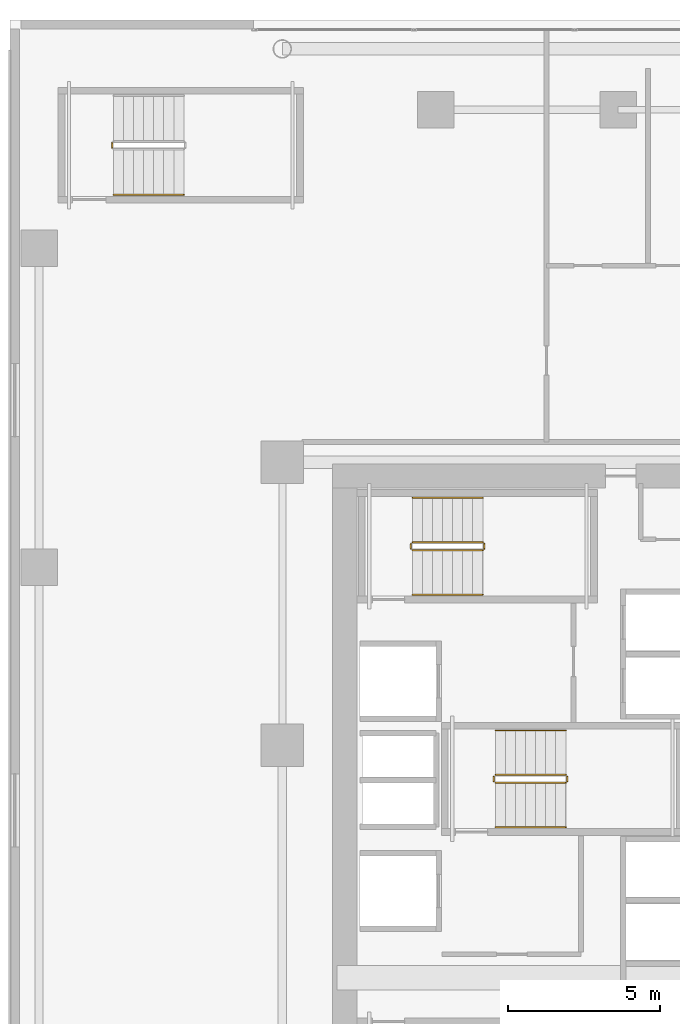
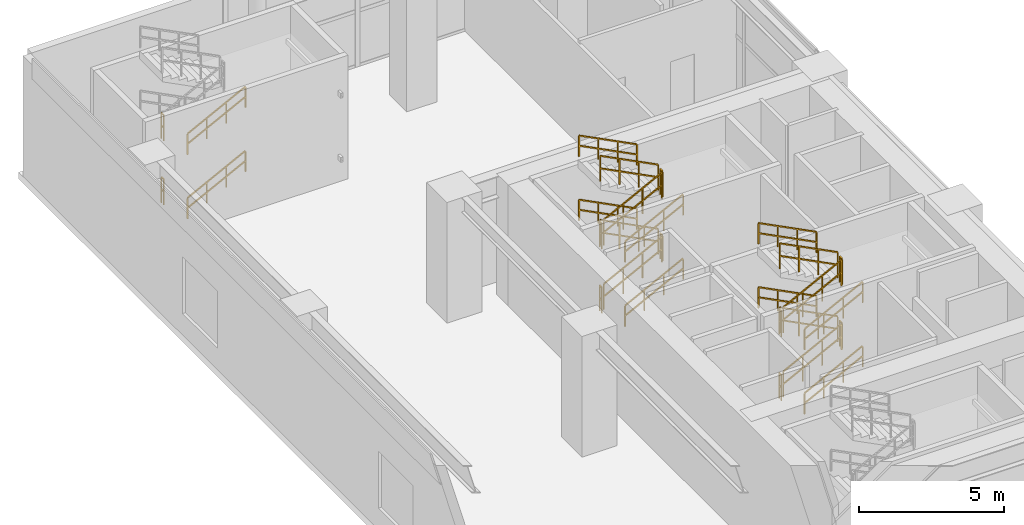
# One storey, part 26 of 29: 28 railings.
"""IFC4 building model written with IfcOpenShell, lengths in metres."""

from ifc_helpers import new_model, si_unit, direction, frame, origin, origin_2d, place, context, subcontext, project, spatial, rectangle, extrude, material, type_object, element, save


model = new_model("IFC4")

# Units and contexts
model_context = context("Model", 3, precision=1e-05, world=origin(), true_north=direction((0.0, 1.0)))
body_context = subcontext(model_context, "Body", "Model", "MODEL_VIEW")
ifc_project = project(units=[si_unit("LENGTHUNIT", "METRE"), si_unit("AREAUNIT", "SQUARE_METRE"), si_unit("VOLUMEUNIT", "CUBIC_METRE"), si_unit("PLANEANGLEUNIT", "RADIAN"), si_unit("MASSUNIT", "GRAM", prefix="KILO")], contexts=[model_context])

# Site, building, storey
site_placement = place(None, origin())
site = spatial("IfcSite", under=ifc_project, at=site_placement, CompositionType="ELEMENT")
building_placement = place(site_placement, origin())
building = spatial("IfcBuilding", under=site, at=building_placement, Name="Ocotamira Hotel", CompositionType="ELEMENT")
storey_placement = place(building_placement, frame((0.0, 0.0, 6.0)))
storey = spatial("IfcBuildingStorey", under=building, at=storey_placement, Name="L02", CompositionType="ELEMENT", Elevation=6.0)

# Railings
ifc_material_1 = material(Name="Brushed stainless steel handrail", Category="steel")
railing_type_1 = type_object("IfcRailingType", Name="RL-HAND-900", PredefinedType="HANDRAIL", material=ifc_material_1)
railing_1_placement = place(storey_placement, frame((13.22998046875, 33.10009765625, 0.33740234375)))
element("IfcRailing", 1, at=railing_1_placement, inside=storey, type_object=railing_type_1, Name="L02 ST-2 stair handrail 1", PredefinedType="HANDRAIL", context=body_context, shape_type="SweptSolid", body=[
    extrude(rectangle(XDim=0.048095703125, YDim=0.048095703125, at=origin_2d()), frame((0.0, 0.0, 0.8759765625), z_axis=(0.89032534587, 0.0, 0.45532491531), x_axis=(0.0, 1.0, 0.0)), (0.0, 0.0, 1.0), 2.5947265625),
    extrude(rectangle(XDim=0.048095703125, YDim=0.048095703125, at=origin_2d()), frame((0.0, 0.0, 0.449951171875), z_axis=(0.89032534587, 0.0, 0.45532491531), x_axis=(0.0, 1.0, 0.0)), (0.0, 0.0, 1.0), 2.5947265625),
    extrude(rectangle(XDim=0.0419921875, YDim=0.0419921875, at=origin_2d()), origin(), (0.0, 0.0, 1.0), 0.851806640625),
    extrude(rectangle(XDim=0.0419921875, YDim=0.0419921875, at=origin_2d()), frame((0.77001953125, 0.0, 0.393798828125)), (0.0, 0.0, 1.0), 0.851806640625),
    extrude(rectangle(XDim=0.0419921875, YDim=0.0419921875, at=origin_2d()), frame((1.5400390625, 0.0, 0.78759765625)), (0.0, 0.0, 1.0), 0.851806640625),
    extrude(rectangle(XDim=0.0419921875, YDim=0.0419921875, at=origin_2d()), frame((2.31005859375, 0.0, 1.181396484375)), (0.0, 0.0, 1.0), 0.851806640625),
])
railing_2_placement = place(storey_placement, frame((15.5400390625, 36.280029296875, 1.6875)))
element("IfcRailing", 2, at=railing_2_placement, inside=storey, type_object=railing_type_1, Name="L02 ST-2 stair handrail 2", PredefinedType="HANDRAIL", context=body_context, shape_type="SweptSolid", body=[
    extrude(rectangle(XDim=0.048095703125, YDim=0.048095703125, at=origin_2d()), frame((0.0, 0.0, 0.8759765625), z_axis=(-0.890363489232, 0.0, 0.455250323495), x_axis=(0.0, -1.0, 0.0)), (0.0, 0.0, 1.0), 2.594482421875),
    extrude(rectangle(XDim=0.048095703125, YDim=0.048095703125, at=origin_2d()), frame((0.0, 0.0, 0.449951171875), z_axis=(-0.890363489232, 0.0, 0.455250323495), x_axis=(0.0, -1.0, 0.0)), (0.0, 0.0, 1.0), 2.594482421875),
    extrude(rectangle(XDim=0.0419921875, YDim=0.0419921875, at=origin_2d()), origin(), (0.0, 0.0, 1.0), 0.851806640625),
    extrude(rectangle(XDim=0.0419921875, YDim=0.0419921875, at=origin_2d()), frame((-0.77001953125, 0.0, 0.393798828125)), (0.0, 0.0, 1.0), 0.851806640625),
    extrude(rectangle(XDim=0.0419921875, YDim=0.0419921875, at=origin_2d()), frame((-1.5400390625, 0.0, 0.787353515625)), (0.0, 0.0, 1.0), 0.851806640625),
    extrude(rectangle(XDim=0.0419921875, YDim=0.0419921875, at=origin_2d()), frame((-2.31005859375, 0.0, 1.18115234375)), (0.0, 0.0, 1.0), 0.851806640625),
])
railing_3_placement = place(storey_placement, frame((13.22998046875, 33.10009765625, 3.03759765625)))
element("IfcRailing", 3, at=railing_3_placement, inside=storey, type_object=railing_type_1, Name="L02 ST-2 stair handrail 3", PredefinedType="HANDRAIL", context=body_context, shape_type="SweptSolid", body=[
    extrude(rectangle(XDim=0.048095703125, YDim=0.048095703125, at=origin_2d()), frame((0.0, 0.0, 0.8759765625), z_axis=(0.890363489232, 0.0, 0.455250323495), x_axis=(0.0, 1.0, 0.0)), (0.0, 0.0, 1.0), 2.594482421875),
    extrude(rectangle(XDim=0.048095703125, YDim=0.048095703125, at=origin_2d()), frame((0.0, 0.0, 0.449951171875), z_axis=(0.890363489232, 0.0, 0.455250323495), x_axis=(0.0, 1.0, 0.0)), (0.0, 0.0, 1.0), 2.594482421875),
    extrude(rectangle(XDim=0.0419921875, YDim=0.0419921875, at=origin_2d()), origin(), (0.0, 0.0, 1.0), 0.851806640625),
    extrude(rectangle(XDim=0.0419921875, YDim=0.0419921875, at=origin_2d()), frame((0.77001953125, 0.0, 0.393798828125)), (0.0, 0.0, 1.0), 0.851806640625),
    extrude(rectangle(XDim=0.0419921875, YDim=0.0419921875, at=origin_2d()), frame((1.5400390625, 0.0, 0.787353515625)), (0.0, 0.0, 1.0), 0.851806640625),
    extrude(rectangle(XDim=0.0419921875, YDim=0.0419921875, at=origin_2d()), frame((2.31005859375, 0.0, 1.18115234375)), (0.0, 0.0, 1.0), 0.851806640625),
])
railing_4_placement = place(storey_placement, frame((15.5400390625, 36.280029296875, 4.387451171875)))
element("IfcRailing", 4, at=railing_4_placement, inside=storey, type_object=railing_type_1, Name="L02 ST-2 stair handrail 4", PredefinedType="HANDRAIL", context=body_context, shape_type="SweptSolid", body=[
    extrude(rectangle(XDim=0.048095703125, YDim=0.048095703125, at=origin_2d()), frame((0.0, 0.0, 0.8759765625), z_axis=(-0.89032534587, 0.0, 0.45532491531), x_axis=(0.0, -1.0, 0.0)), (0.0, 0.0, 1.0), 2.5947265625),
    extrude(rectangle(XDim=0.048095703125, YDim=0.048095703125, at=origin_2d()), frame((0.0, 0.0, 0.449951171875), z_axis=(-0.89032534587, 0.0, 0.45532491531), x_axis=(0.0, -1.0, 0.0)), (0.0, 0.0, 1.0), 2.5947265625),
    extrude(rectangle(XDim=0.0419921875, YDim=0.0419921875, at=origin_2d()), origin(), (0.0, 0.0, 1.0), 0.851806640625),
    extrude(rectangle(XDim=0.0419921875, YDim=0.0419921875, at=origin_2d()), frame((-0.77001953125, 0.0, 0.393798828125)), (0.0, 0.0, 1.0), 0.851806640625),
    extrude(rectangle(XDim=0.0419921875, YDim=0.0419921875, at=origin_2d()), frame((-1.5400390625, 0.0, 0.78759765625)), (0.0, 0.0, 1.0), 0.851806640625),
    extrude(rectangle(XDim=0.0419921875, YDim=0.0419921875, at=origin_2d()), frame((-2.31005859375, 0.0, 1.181396484375)), (0.0, 0.0, 1.0), 0.851806640625),
])
railing_5_placement = place(storey_placement, frame((15.9599609375, 25.449951171875, 0.33740234375)))
element("IfcRailing", 5, at=railing_5_placement, inside=storey, type_object=railing_type_1, Name="L02 ST-3 stair handrail 1", PredefinedType="HANDRAIL", context=body_context, shape_type="SweptSolid", body=[
    extrude(rectangle(XDim=0.048095703125, YDim=0.048095703125, at=origin_2d()), frame((0.0, 0.0, 0.8759765625), z_axis=(0.89032534587, 0.0, 0.45532491531), x_axis=(0.0, 1.0, 0.0)), (0.0, 0.0, 1.0), 2.5947265625),
    extrude(rectangle(XDim=0.048095703125, YDim=0.048095703125, at=origin_2d()), frame((0.0, 0.0, 0.449951171875), z_axis=(0.89032534587, 0.0, 0.45532491531), x_axis=(0.0, 1.0, 0.0)), (0.0, 0.0, 1.0), 2.5947265625),
    extrude(rectangle(XDim=0.0419921875, YDim=0.0419921875, at=origin_2d()), origin(), (0.0, 0.0, 1.0), 0.851806640625),
    extrude(rectangle(XDim=0.0419921875, YDim=0.0419921875, at=origin_2d()), frame((0.77001953125, 0.0, 0.393798828125)), (0.0, 0.0, 1.0), 0.851806640625),
    extrude(rectangle(XDim=0.0419921875, YDim=0.0419921875, at=origin_2d()), frame((1.5400390625, 0.0, 0.78759765625)), (0.0, 0.0, 1.0), 0.851806640625),
    extrude(rectangle(XDim=0.0419921875, YDim=0.0419921875, at=origin_2d()), frame((2.31005859375, 0.0, 1.181396484375)), (0.0, 0.0, 1.0), 0.851806640625),
])
railing_6_placement = place(storey_placement, frame((18.27001953125, 28.6298828125, 1.6875)))
element("IfcRailing", 6, at=railing_6_placement, inside=storey, type_object=railing_type_1, Name="L02 ST-3 stair handrail 2", PredefinedType="HANDRAIL", context=body_context, shape_type="SweptSolid", body=[
    extrude(rectangle(XDim=0.048095703125, YDim=0.048095703125, at=origin_2d()), frame((0.0, 0.0, 0.8759765625), z_axis=(-0.890363489232, 0.0, 0.455250323495), x_axis=(0.0, -1.0, 0.0)), (0.0, 0.0, 1.0), 2.594482421875),
    extrude(rectangle(XDim=0.048095703125, YDim=0.048095703125, at=origin_2d()), frame((0.0, 0.0, 0.449951171875), z_axis=(-0.890363489232, 0.0, 0.455250323495), x_axis=(0.0, -1.0, 0.0)), (0.0, 0.0, 1.0), 2.594482421875),
    extrude(rectangle(XDim=0.0419921875, YDim=0.0419921875, at=origin_2d()), origin(), (0.0, 0.0, 1.0), 0.851806640625),
    extrude(rectangle(XDim=0.0419921875, YDim=0.0419921875, at=origin_2d()), frame((-0.77001953125, 0.0, 0.393798828125)), (0.0, 0.0, 1.0), 0.851806640625),
    extrude(rectangle(XDim=0.0419921875, YDim=0.0419921875, at=origin_2d()), frame((-1.5400390625, 0.0, 0.787353515625)), (0.0, 0.0, 1.0), 0.851806640625),
    extrude(rectangle(XDim=0.0419921875, YDim=0.0419921875, at=origin_2d()), frame((-2.31005859375, 0.0, 1.18115234375)), (0.0, 0.0, 1.0), 0.851806640625),
])
railing_7_placement = place(storey_placement, frame((15.9599609375, 25.449951171875, 3.03759765625)))
element("IfcRailing", 7, at=railing_7_placement, inside=storey, type_object=railing_type_1, Name="L02 ST-3 stair handrail 3", PredefinedType="HANDRAIL", context=body_context, shape_type="SweptSolid", body=[
    extrude(rectangle(XDim=0.048095703125, YDim=0.048095703125, at=origin_2d()), frame((0.0, 0.0, 0.8759765625), z_axis=(0.890363489232, 0.0, 0.455250323495), x_axis=(0.0, 1.0, 0.0)), (0.0, 0.0, 1.0), 2.594482421875),
    extrude(rectangle(XDim=0.048095703125, YDim=0.048095703125, at=origin_2d()), frame((0.0, 0.0, 0.449951171875), z_axis=(0.890363489232, 0.0, 0.455250323495), x_axis=(0.0, 1.0, 0.0)), (0.0, 0.0, 1.0), 2.594482421875),
    extrude(rectangle(XDim=0.0419921875, YDim=0.0419921875, at=origin_2d()), origin(), (0.0, 0.0, 1.0), 0.851806640625),
    extrude(rectangle(XDim=0.0419921875, YDim=0.0419921875, at=origin_2d()), frame((0.77001953125, 0.0, 0.393798828125)), (0.0, 0.0, 1.0), 0.851806640625),
    extrude(rectangle(XDim=0.0419921875, YDim=0.0419921875, at=origin_2d()), frame((1.5400390625, 0.0, 0.787353515625)), (0.0, 0.0, 1.0), 0.851806640625),
    extrude(rectangle(XDim=0.0419921875, YDim=0.0419921875, at=origin_2d()), frame((2.31005859375, 0.0, 1.18115234375)), (0.0, 0.0, 1.0), 0.851806640625),
])
railing_8_placement = place(storey_placement, frame((18.27001953125, 28.6298828125, 4.387451171875)))
element("IfcRailing", 8, at=railing_8_placement, inside=storey, type_object=railing_type_1, Name="L02 ST-3 stair handrail 4", PredefinedType="HANDRAIL", context=body_context, shape_type="SweptSolid", body=[
    extrude(rectangle(XDim=0.048095703125, YDim=0.048095703125, at=origin_2d()), frame((0.0, 0.0, 0.8759765625), z_axis=(-0.89032534587, 0.0, 0.45532491531), x_axis=(0.0, -1.0, 0.0)), (0.0, 0.0, 1.0), 2.5947265625),
    extrude(rectangle(XDim=0.048095703125, YDim=0.048095703125, at=origin_2d()), frame((0.0, 0.0, 0.449951171875), z_axis=(-0.89032534587, 0.0, 0.45532491531), x_axis=(0.0, -1.0, 0.0)), (0.0, 0.0, 1.0), 2.5947265625),
    extrude(rectangle(XDim=0.0419921875, YDim=0.0419921875, at=origin_2d()), origin(), (0.0, 0.0, 1.0), 0.851806640625),
    extrude(rectangle(XDim=0.0419921875, YDim=0.0419921875, at=origin_2d()), frame((-0.77001953125, 0.0, 0.393798828125)), (0.0, 0.0, 1.0), 0.851806640625),
    extrude(rectangle(XDim=0.0419921875, YDim=0.0419921875, at=origin_2d()), frame((-1.5400390625, 0.0, 0.78759765625)), (0.0, 0.0, 1.0), 0.851806640625),
    extrude(rectangle(XDim=0.0419921875, YDim=0.0419921875, at=origin_2d()), frame((-2.31005859375, 0.0, 1.181396484375)), (0.0, 0.0, 1.0), 0.851806640625),
])
railing_9_placement = place(storey_placement, frame((3.39990234375, 46.25, 0.33740234375)))
element("IfcRailing", 9, at=railing_9_placement, inside=storey, type_object=railing_type_1, Name="L02 ST-5 stair handrail 1", PredefinedType="HANDRAIL", context=body_context, shape_type="SweptSolid", body=[
    extrude(rectangle(XDim=0.048095703125, YDim=0.048095703125, at=origin_2d()), frame((0.0, 0.0, 0.8759765625), z_axis=(0.89032534587, 0.0, 0.45532491531), x_axis=(0.0, 1.0, 0.0)), (0.0, 0.0, 1.0), 2.5947265625),
    extrude(rectangle(XDim=0.048095703125, YDim=0.048095703125, at=origin_2d()), frame((0.0, 0.0, 0.449951171875), z_axis=(0.89032534587, 0.0, 0.45532491531), x_axis=(0.0, 1.0, 0.0)), (0.0, 0.0, 1.0), 2.5947265625),
    extrude(rectangle(XDim=0.0419921875, YDim=0.0419921875, at=origin_2d()), origin(), (0.0, 0.0, 1.0), 0.851806640625),
    extrude(rectangle(XDim=0.0419921875, YDim=0.0419921875, at=origin_2d()), frame((0.77001953125, 0.0, 0.393798828125)), (0.0, 0.0, 1.0), 0.851806640625),
    extrude(rectangle(XDim=0.0419921875, YDim=0.0419921875, at=origin_2d()), frame((1.5400390625, 0.0, 0.78759765625)), (0.0, 0.0, 1.0), 0.851806640625),
    extrude(rectangle(XDim=0.0419921875, YDim=0.0419921875, at=origin_2d()), frame((2.31005859375, 0.0, 1.181396484375)), (0.0, 0.0, 1.0), 0.851806640625),
])
railing_10_placement = place(storey_placement, frame((3.39990234375, 46.25, 3.03759765625)))
element("IfcRailing", 10, at=railing_10_placement, inside=storey, type_object=railing_type_1, Name="L02 ST-5 stair handrail 3", PredefinedType="HANDRAIL", context=body_context, shape_type="SweptSolid", body=[
    extrude(rectangle(XDim=0.048095703125, YDim=0.048095703125, at=origin_2d()), frame((0.0, 0.0, 0.8759765625), z_axis=(0.890363489232, 0.0, 0.455250323495), x_axis=(0.0, 1.0, 0.0)), (0.0, 0.0, 1.0), 2.594482421875),
    extrude(rectangle(XDim=0.048095703125, YDim=0.048095703125, at=origin_2d()), frame((0.0, 0.0, 0.449951171875), z_axis=(0.890363489232, 0.0, 0.455250323495), x_axis=(0.0, 1.0, 0.0)), (0.0, 0.0, 1.0), 2.594482421875),
    extrude(rectangle(XDim=0.0419921875, YDim=0.0419921875, at=origin_2d()), origin(), (0.0, 0.0, 1.0), 0.851806640625),
    extrude(rectangle(XDim=0.0419921875, YDim=0.0419921875, at=origin_2d()), frame((0.77001953125, 0.0, 0.393798828125)), (0.0, 0.0, 1.0), 0.851806640625),
    extrude(rectangle(XDim=0.0419921875, YDim=0.0419921875, at=origin_2d()), frame((1.5400390625, 0.0, 0.787353515625)), (0.0, 0.0, 1.0), 0.851806640625),
    extrude(rectangle(XDim=0.0419921875, YDim=0.0419921875, at=origin_2d()), frame((2.31005859375, 0.0, 1.18115234375)), (0.0, 0.0, 1.0), 0.851806640625),
])
ifc_material_2 = material(Name="Painted steel stair guardrail", Category="steel")
railing_type_2 = type_object("IfcRailingType", Name="RL-STAIR-1100", PredefinedType="GUARDRAIL", material=ifc_material_2)
railing_11_placement = place(storey_placement, frame((13.22998046875, 34.56005859375, 0.168701171875)))
element("IfcRailing", 11, at=railing_11_placement, inside=storey, type_object=railing_type_2, Name="L02 ST-2 stair guard 1", PredefinedType="GUARDRAIL", context=body_context, shape_type="SweptSolid", body=[
    extrude(rectangle(XDim=0.048095703125, YDim=0.048095703125, at=origin_2d()), frame((0.0, 0.0, 1.076171875), z_axis=(0.89032534587, 0.0, 0.45532491531), x_axis=(0.0, 1.0, 0.0)), (0.0, 0.0, 1.0), 2.5947265625),
    extrude(rectangle(XDim=0.048095703125, YDim=0.048095703125, at=origin_2d()), frame((0.0, 0.0, 0.550048828125), z_axis=(0.89032534587, 0.0, 0.45532491531), x_axis=(0.0, 1.0, 0.0)), (0.0, 0.0, 1.0), 2.5947265625),
    extrude(rectangle(XDim=0.0419921875, YDim=0.0419921875, at=origin_2d()), origin(), (0.0, 0.0, 1.0), 1.052001953125),
    extrude(rectangle(XDim=0.0419921875, YDim=0.0419921875, at=origin_2d()), frame((0.77001953125, 0.0, 0.393798828125)), (0.0, 0.0, 1.0), 1.052001953125),
    extrude(rectangle(XDim=0.0419921875, YDim=0.0419921875, at=origin_2d()), frame((1.5400390625, 0.0, 0.78759765625)), (0.0, 0.0, 1.0), 1.052001953125),
    extrude(rectangle(XDim=0.0419921875, YDim=0.0419921875, at=origin_2d()), frame((2.31005859375, 0.0, 1.181396484375)), (0.0, 0.0, 1.0), 1.052001953125),
])
railing_12_placement = place(storey_placement, frame((15.590087890625, 34.610107421875, 1.35009765625)))
element("IfcRailing", 12, at=railing_12_placement, inside=storey, type_object=railing_type_2, Name="L02 ST-2 stair guard 2", PredefinedType="GUARDRAIL", context=body_context, shape_type="SweptSolid", body=[
    extrude(rectangle(XDim=0.048095703125, YDim=0.048095703125, at=origin_2d()), frame((0.0, 0.0, 1.076171875), z_axis=(0.0, 1.0, 0.0), x_axis=(-1.0, 0.0, 0.0)), (0.0, 0.0, 1.0), 0.159912109375),
    extrude(rectangle(XDim=0.048095703125, YDim=0.048095703125, at=origin_2d()), frame((0.0, 0.0, 0.550048828125), z_axis=(0.0, 1.0, 0.0), x_axis=(-1.0, 0.0, 0.0)), (0.0, 0.0, 1.0), 0.159912109375),
    extrude(rectangle(XDim=0.0419921875, YDim=0.0419921875, at=origin_2d()), origin(), (0.0, 0.0, 1.0), 1.052001953125),
    extrude(rectangle(XDim=0.0419921875, YDim=0.0419921875, at=origin_2d()), frame((0.0, 0.159912109375, 0.0)), (0.0, 0.0, 1.0), 1.052001953125),
])
railing_13_placement = place(storey_placement, frame((15.5400390625, 34.820068359375, 1.518798828125)))
element("IfcRailing", 13, at=railing_13_placement, inside=storey, type_object=railing_type_2, Name="L02 ST-2 stair guard 3", PredefinedType="GUARDRAIL", context=body_context, shape_type="SweptSolid", body=[
    extrude(rectangle(XDim=0.048095703125, YDim=0.048095703125, at=origin_2d()), frame((0.0, 0.0, 1.076171875), z_axis=(-0.890363489232, 0.0, 0.455250323495), x_axis=(0.0, -1.0, 0.0)), (0.0, 0.0, 1.0), 2.594482421875),
    extrude(rectangle(XDim=0.048095703125, YDim=0.048095703125, at=origin_2d()), frame((0.0, 0.0, 0.550048828125), z_axis=(-0.890363489232, 0.0, 0.455250323495), x_axis=(0.0, -1.0, 0.0)), (0.0, 0.0, 1.0), 2.594482421875),
    extrude(rectangle(XDim=0.0419921875, YDim=0.0419921875, at=origin_2d()), origin(), (0.0, 0.0, 1.0), 1.052001953125),
    extrude(rectangle(XDim=0.0419921875, YDim=0.0419921875, at=origin_2d()), frame((-0.77001953125, 0.0, 0.393798828125)), (0.0, 0.0, 1.0), 1.052001953125),
    extrude(rectangle(XDim=0.0419921875, YDim=0.0419921875, at=origin_2d()), frame((-1.5400390625, 0.0, 0.787353515625)), (0.0, 0.0, 1.0), 1.052001953125),
    extrude(rectangle(XDim=0.0419921875, YDim=0.0419921875, at=origin_2d()), frame((-2.31005859375, 0.0, 1.18115234375)), (0.0, 0.0, 1.0), 1.052001953125),
])
railing_14_placement = place(storey_placement, frame((13.179931640625, 34.610107421875, 2.699951171875)))
element("IfcRailing", 14, at=railing_14_placement, inside=storey, type_object=railing_type_2, Name="L02 ST-2 stair guard 4", PredefinedType="GUARDRAIL", context=body_context, shape_type="SweptSolid", body=[
    extrude(rectangle(XDim=0.048095703125, YDim=0.048095703125, at=origin_2d()), frame((0.0, 0.0, 1.076171875), z_axis=(0.0, 1.0, 0.0), x_axis=(-1.0, 0.0, 0.0)), (0.0, 0.0, 1.0), 0.159912109375),
    extrude(rectangle(XDim=0.048095703125, YDim=0.048095703125, at=origin_2d()), frame((0.0, 0.0, 0.550048828125), z_axis=(0.0, 1.0, 0.0), x_axis=(-1.0, 0.0, 0.0)), (0.0, 0.0, 1.0), 0.159912109375),
    extrude(rectangle(XDim=0.0419921875, YDim=0.0419921875, at=origin_2d()), origin(), (0.0, 0.0, 1.0), 1.052001953125),
    extrude(rectangle(XDim=0.0419921875, YDim=0.0419921875, at=origin_2d()), frame((0.0, 0.159912109375, 0.0)), (0.0, 0.0, 1.0), 1.052001953125),
])
railing_15_placement = place(storey_placement, frame((13.22998046875, 34.56005859375, 2.86865234375)))
element("IfcRailing", 15, at=railing_15_placement, inside=storey, type_object=railing_type_2, Name="L02 ST-2 stair guard 5", PredefinedType="GUARDRAIL", context=body_context, shape_type="SweptSolid", body=[
    extrude(rectangle(XDim=0.048095703125, YDim=0.048095703125, at=origin_2d()), frame((0.0, 0.0, 1.076171875), z_axis=(0.89032534587, 0.0, 0.45532491531), x_axis=(0.0, 1.0, 0.0)), (0.0, 0.0, 1.0), 2.5947265625),
    extrude(rectangle(XDim=0.048095703125, YDim=0.048095703125, at=origin_2d()), frame((0.0, 0.0, 0.550048828125), z_axis=(0.89032534587, 0.0, 0.45532491531), x_axis=(0.0, 1.0, 0.0)), (0.0, 0.0, 1.0), 2.5947265625),
    extrude(rectangle(XDim=0.0419921875, YDim=0.0419921875, at=origin_2d()), origin(), (0.0, 0.0, 1.0), 1.052001953125),
    extrude(rectangle(XDim=0.0419921875, YDim=0.0419921875, at=origin_2d()), frame((0.77001953125, 0.0, 0.393798828125)), (0.0, 0.0, 1.0), 1.052001953125),
    extrude(rectangle(XDim=0.0419921875, YDim=0.0419921875, at=origin_2d()), frame((1.5400390625, 0.0, 0.78759765625)), (0.0, 0.0, 1.0), 1.052001953125),
    extrude(rectangle(XDim=0.0419921875, YDim=0.0419921875, at=origin_2d()), frame((2.31005859375, 0.0, 1.181396484375)), (0.0, 0.0, 1.0), 1.052001953125),
])
railing_16_placement = place(storey_placement, frame((15.590087890625, 34.610107421875, 4.050048828125)))
element("IfcRailing", 16, at=railing_16_placement, inside=storey, type_object=railing_type_2, Name="L02 ST-2 stair guard 6", PredefinedType="GUARDRAIL", context=body_context, shape_type="SweptSolid", body=[
    extrude(rectangle(XDim=0.048095703125, YDim=0.048095703125, at=origin_2d()), frame((0.0, 0.0, 1.076171875), z_axis=(0.0, 1.0, 0.0), x_axis=(-1.0, 0.0, 0.0)), (0.0, 0.0, 1.0), 0.159912109375),
    extrude(rectangle(XDim=0.048095703125, YDim=0.048095703125, at=origin_2d()), frame((0.0, 0.0, 0.550048828125), z_axis=(0.0, 1.0, 0.0), x_axis=(-1.0, 0.0, 0.0)), (0.0, 0.0, 1.0), 0.159912109375),
    extrude(rectangle(XDim=0.0419921875, YDim=0.0419921875, at=origin_2d()), origin(), (0.0, 0.0, 1.0), 1.052001953125),
    extrude(rectangle(XDim=0.0419921875, YDim=0.0419921875, at=origin_2d()), frame((0.0, 0.159912109375, 0.0)), (0.0, 0.0, 1.0), 1.052001953125),
])
railing_17_placement = place(storey_placement, frame((15.5400390625, 34.820068359375, 4.21875)))
element("IfcRailing", 17, at=railing_17_placement, inside=storey, type_object=railing_type_2, Name="L02 ST-2 stair guard 7", PredefinedType="GUARDRAIL", context=body_context, shape_type="SweptSolid", body=[
    extrude(rectangle(XDim=0.048095703125, YDim=0.048095703125, at=origin_2d()), frame((0.0, 0.0, 1.076171875), z_axis=(-0.890363489232, 0.0, 0.455250323495), x_axis=(0.0, -1.0, 0.0)), (0.0, 0.0, 1.0), 2.594482421875),
    extrude(rectangle(XDim=0.048095703125, YDim=0.048095703125, at=origin_2d()), frame((0.0, 0.0, 0.550048828125), z_axis=(-0.890363489232, 0.0, 0.455250323495), x_axis=(0.0, -1.0, 0.0)), (0.0, 0.0, 1.0), 2.594482421875),
    extrude(rectangle(XDim=0.0419921875, YDim=0.0419921875, at=origin_2d()), origin(), (0.0, 0.0, 1.0), 1.052001953125),
    extrude(rectangle(XDim=0.0419921875, YDim=0.0419921875, at=origin_2d()), frame((-0.77001953125, 0.0, 0.393798828125)), (0.0, 0.0, 1.0), 1.052001953125),
    extrude(rectangle(XDim=0.0419921875, YDim=0.0419921875, at=origin_2d()), frame((-1.5400390625, 0.0, 0.787353515625)), (0.0, 0.0, 1.0), 1.052001953125),
    extrude(rectangle(XDim=0.0419921875, YDim=0.0419921875, at=origin_2d()), frame((-2.31005859375, 0.0, 1.18115234375)), (0.0, 0.0, 1.0), 1.052001953125),
])
railing_18_placement = place(storey_placement, frame((13.179931640625, 34.610107421875, 0.0)))
element("IfcRailing", 18, at=railing_18_placement, inside=storey, type_object=railing_type_2, Name="L02 ST-2 stair guard 8", PredefinedType="GUARDRAIL", context=body_context, shape_type="SweptSolid", body=[
    extrude(rectangle(XDim=0.048095703125, YDim=0.048095703125, at=origin_2d()), frame((0.0, 0.0, 1.076171875), z_axis=(0.0, 1.0, 0.0), x_axis=(-1.0, 0.0, 0.0)), (0.0, 0.0, 1.0), 0.159912109375),
    extrude(rectangle(XDim=0.048095703125, YDim=0.048095703125, at=origin_2d()), frame((0.0, 0.0, 0.550048828125), z_axis=(0.0, 1.0, 0.0), x_axis=(-1.0, 0.0, 0.0)), (0.0, 0.0, 1.0), 0.159912109375),
    extrude(rectangle(XDim=0.0419921875, YDim=0.0419921875, at=origin_2d()), origin(), (0.0, 0.0, 1.0), 1.052001953125),
    extrude(rectangle(XDim=0.0419921875, YDim=0.0419921875, at=origin_2d()), frame((0.0, 0.159912109375, 0.0)), (0.0, 0.0, 1.0), 1.052001953125),
])
railing_19_placement = place(storey_placement, frame((15.9599609375, 26.909912109375, 0.168701171875)))
element("IfcRailing", 19, at=railing_19_placement, inside=storey, type_object=railing_type_2, Name="L02 ST-3 stair guard 1", PredefinedType="GUARDRAIL", context=body_context, shape_type="SweptSolid", body=[
    extrude(rectangle(XDim=0.048095703125, YDim=0.048095703125, at=origin_2d()), frame((0.0, 0.0, 1.076171875), z_axis=(0.89032534587, 0.0, 0.45532491531), x_axis=(0.0, 1.0, 0.0)), (0.0, 0.0, 1.0), 2.5947265625),
    extrude(rectangle(XDim=0.048095703125, YDim=0.048095703125, at=origin_2d()), frame((0.0, 0.0, 0.550048828125), z_axis=(0.89032534587, 0.0, 0.45532491531), x_axis=(0.0, 1.0, 0.0)), (0.0, 0.0, 1.0), 2.5947265625),
    extrude(rectangle(XDim=0.0419921875, YDim=0.0419921875, at=origin_2d()), origin(), (0.0, 0.0, 1.0), 1.052001953125),
    extrude(rectangle(XDim=0.0419921875, YDim=0.0419921875, at=origin_2d()), frame((0.77001953125, 0.0, 0.393798828125)), (0.0, 0.0, 1.0), 1.052001953125),
    extrude(rectangle(XDim=0.0419921875, YDim=0.0419921875, at=origin_2d()), frame((1.5400390625, 0.0, 0.78759765625)), (0.0, 0.0, 1.0), 1.052001953125),
    extrude(rectangle(XDim=0.0419921875, YDim=0.0419921875, at=origin_2d()), frame((2.31005859375, 0.0, 1.181396484375)), (0.0, 0.0, 1.0), 1.052001953125),
])
railing_20_placement = place(storey_placement, frame((18.320068359375, 26.9599609375, 1.35009765625)))
element("IfcRailing", 20, at=railing_20_placement, inside=storey, type_object=railing_type_2, Name="L02 ST-3 stair guard 2", PredefinedType="GUARDRAIL", context=body_context, shape_type="SweptSolid", body=[
    extrude(rectangle(XDim=0.048095703125, YDim=0.048095703125, at=origin_2d()), frame((0.0, 0.0, 1.076171875), z_axis=(0.0, 1.0, 0.0), x_axis=(-1.0, 0.0, 0.0)), (0.0, 0.0, 1.0), 0.16015625),
    extrude(rectangle(XDim=0.048095703125, YDim=0.048095703125, at=origin_2d()), frame((0.0, 0.0, 0.550048828125), z_axis=(0.0, 1.0, 0.0), x_axis=(-1.0, 0.0, 0.0)), (0.0, 0.0, 1.0), 0.16015625),
    extrude(rectangle(XDim=0.0419921875, YDim=0.0419921875, at=origin_2d()), origin(), (0.0, 0.0, 1.0), 1.052001953125),
    extrude(rectangle(XDim=0.0419921875, YDim=0.0419921875, at=origin_2d()), frame((0.0, 0.16015625, 0.0)), (0.0, 0.0, 1.0), 1.052001953125),
])
railing_21_placement = place(storey_placement, frame((18.27001953125, 27.169921875, 1.518798828125)))
element("IfcRailing", 21, at=railing_21_placement, inside=storey, type_object=railing_type_2, Name="L02 ST-3 stair guard 3", PredefinedType="GUARDRAIL", context=body_context, shape_type="SweptSolid", body=[
    extrude(rectangle(XDim=0.048095703125, YDim=0.048095703125, at=origin_2d()), frame((0.0, 0.0, 1.076171875), z_axis=(-0.890363489232, 0.0, 0.455250323495), x_axis=(0.0, -1.0, 0.0)), (0.0, 0.0, 1.0), 2.594482421875),
    extrude(rectangle(XDim=0.048095703125, YDim=0.048095703125, at=origin_2d()), frame((0.0, 0.0, 0.550048828125), z_axis=(-0.890363489232, 0.0, 0.455250323495), x_axis=(0.0, -1.0, 0.0)), (0.0, 0.0, 1.0), 2.594482421875),
    extrude(rectangle(XDim=0.0419921875, YDim=0.0419921875, at=origin_2d()), origin(), (0.0, 0.0, 1.0), 1.052001953125),
    extrude(rectangle(XDim=0.0419921875, YDim=0.0419921875, at=origin_2d()), frame((-0.77001953125, 0.0, 0.393798828125)), (0.0, 0.0, 1.0), 1.052001953125),
    extrude(rectangle(XDim=0.0419921875, YDim=0.0419921875, at=origin_2d()), frame((-1.5400390625, 0.0, 0.787353515625)), (0.0, 0.0, 1.0), 1.052001953125),
    extrude(rectangle(XDim=0.0419921875, YDim=0.0419921875, at=origin_2d()), frame((-2.31005859375, 0.0, 1.18115234375)), (0.0, 0.0, 1.0), 1.052001953125),
])
railing_22_placement = place(storey_placement, frame((15.909912109375, 26.9599609375, 2.699951171875)))
element("IfcRailing", 22, at=railing_22_placement, inside=storey, type_object=railing_type_2, Name="L02 ST-3 stair guard 4", PredefinedType="GUARDRAIL", context=body_context, shape_type="SweptSolid", body=[
    extrude(rectangle(XDim=0.048095703125, YDim=0.048095703125, at=origin_2d()), frame((0.0, 0.0, 1.076171875), z_axis=(0.0, 1.0, 0.0), x_axis=(-1.0, 0.0, 0.0)), (0.0, 0.0, 1.0), 0.16015625),
    extrude(rectangle(XDim=0.048095703125, YDim=0.048095703125, at=origin_2d()), frame((0.0, 0.0, 0.550048828125), z_axis=(0.0, 1.0, 0.0), x_axis=(-1.0, 0.0, 0.0)), (0.0, 0.0, 1.0), 0.16015625),
    extrude(rectangle(XDim=0.0419921875, YDim=0.0419921875, at=origin_2d()), origin(), (0.0, 0.0, 1.0), 1.052001953125),
    extrude(rectangle(XDim=0.0419921875, YDim=0.0419921875, at=origin_2d()), frame((0.0, 0.16015625, 0.0)), (0.0, 0.0, 1.0), 1.052001953125),
])
railing_23_placement = place(storey_placement, frame((15.9599609375, 26.909912109375, 2.86865234375)))
element("IfcRailing", 23, at=railing_23_placement, inside=storey, type_object=railing_type_2, Name="L02 ST-3 stair guard 5", PredefinedType="GUARDRAIL", context=body_context, shape_type="SweptSolid", body=[
    extrude(rectangle(XDim=0.048095703125, YDim=0.048095703125, at=origin_2d()), frame((0.0, 0.0, 1.076171875), z_axis=(0.89032534587, 0.0, 0.45532491531), x_axis=(0.0, 1.0, 0.0)), (0.0, 0.0, 1.0), 2.5947265625),
    extrude(rectangle(XDim=0.048095703125, YDim=0.048095703125, at=origin_2d()), frame((0.0, 0.0, 0.550048828125), z_axis=(0.89032534587, 0.0, 0.45532491531), x_axis=(0.0, 1.0, 0.0)), (0.0, 0.0, 1.0), 2.5947265625),
    extrude(rectangle(XDim=0.0419921875, YDim=0.0419921875, at=origin_2d()), origin(), (0.0, 0.0, 1.0), 1.052001953125),
    extrude(rectangle(XDim=0.0419921875, YDim=0.0419921875, at=origin_2d()), frame((0.77001953125, 0.0, 0.393798828125)), (0.0, 0.0, 1.0), 1.052001953125),
    extrude(rectangle(XDim=0.0419921875, YDim=0.0419921875, at=origin_2d()), frame((1.5400390625, 0.0, 0.78759765625)), (0.0, 0.0, 1.0), 1.052001953125),
    extrude(rectangle(XDim=0.0419921875, YDim=0.0419921875, at=origin_2d()), frame((2.31005859375, 0.0, 1.181396484375)), (0.0, 0.0, 1.0), 1.052001953125),
])
railing_24_placement = place(storey_placement, frame((18.320068359375, 26.9599609375, 4.050048828125)))
element("IfcRailing", 24, at=railing_24_placement, inside=storey, type_object=railing_type_2, Name="L02 ST-3 stair guard 6", PredefinedType="GUARDRAIL", context=body_context, shape_type="SweptSolid", body=[
    extrude(rectangle(XDim=0.048095703125, YDim=0.048095703125, at=origin_2d()), frame((0.0, 0.0, 1.076171875), z_axis=(0.0, 1.0, 0.0), x_axis=(-1.0, 0.0, 0.0)), (0.0, 0.0, 1.0), 0.16015625),
    extrude(rectangle(XDim=0.048095703125, YDim=0.048095703125, at=origin_2d()), frame((0.0, 0.0, 0.550048828125), z_axis=(0.0, 1.0, 0.0), x_axis=(-1.0, 0.0, 0.0)), (0.0, 0.0, 1.0), 0.16015625),
    extrude(rectangle(XDim=0.0419921875, YDim=0.0419921875, at=origin_2d()), origin(), (0.0, 0.0, 1.0), 1.052001953125),
    extrude(rectangle(XDim=0.0419921875, YDim=0.0419921875, at=origin_2d()), frame((0.0, 0.16015625, 0.0)), (0.0, 0.0, 1.0), 1.052001953125),
])
railing_25_placement = place(storey_placement, frame((18.27001953125, 27.169921875, 4.21875)))
element("IfcRailing", 25, at=railing_25_placement, inside=storey, type_object=railing_type_2, Name="L02 ST-3 stair guard 7", PredefinedType="GUARDRAIL", context=body_context, shape_type="SweptSolid", body=[
    extrude(rectangle(XDim=0.048095703125, YDim=0.048095703125, at=origin_2d()), frame((0.0, 0.0, 1.076171875), z_axis=(-0.890363489232, 0.0, 0.455250323495), x_axis=(0.0, -1.0, 0.0)), (0.0, 0.0, 1.0), 2.594482421875),
    extrude(rectangle(XDim=0.048095703125, YDim=0.048095703125, at=origin_2d()), frame((0.0, 0.0, 0.550048828125), z_axis=(-0.890363489232, 0.0, 0.455250323495), x_axis=(0.0, -1.0, 0.0)), (0.0, 0.0, 1.0), 2.594482421875),
    extrude(rectangle(XDim=0.0419921875, YDim=0.0419921875, at=origin_2d()), origin(), (0.0, 0.0, 1.0), 1.052001953125),
    extrude(rectangle(XDim=0.0419921875, YDim=0.0419921875, at=origin_2d()), frame((-0.77001953125, 0.0, 0.393798828125)), (0.0, 0.0, 1.0), 1.052001953125),
    extrude(rectangle(XDim=0.0419921875, YDim=0.0419921875, at=origin_2d()), frame((-1.5400390625, 0.0, 0.787353515625)), (0.0, 0.0, 1.0), 1.052001953125),
    extrude(rectangle(XDim=0.0419921875, YDim=0.0419921875, at=origin_2d()), frame((-2.31005859375, 0.0, 1.18115234375)), (0.0, 0.0, 1.0), 1.052001953125),
])
railing_26_placement = place(storey_placement, frame((15.909912109375, 26.9599609375, 0.0)))
element("IfcRailing", 26, at=railing_26_placement, inside=storey, type_object=railing_type_2, Name="L02 ST-3 stair guard 8", PredefinedType="GUARDRAIL", context=body_context, shape_type="SweptSolid", body=[
    extrude(rectangle(XDim=0.048095703125, YDim=0.048095703125, at=origin_2d()), frame((0.0, 0.0, 1.076171875), z_axis=(0.0, 1.0, 0.0), x_axis=(-1.0, 0.0, 0.0)), (0.0, 0.0, 1.0), 0.16015625),
    extrude(rectangle(XDim=0.048095703125, YDim=0.048095703125, at=origin_2d()), frame((0.0, 0.0, 0.550048828125), z_axis=(0.0, 1.0, 0.0), x_axis=(-1.0, 0.0, 0.0)), (0.0, 0.0, 1.0), 0.16015625),
    extrude(rectangle(XDim=0.0419921875, YDim=0.0419921875, at=origin_2d()), origin(), (0.0, 0.0, 1.0), 1.052001953125),
    extrude(rectangle(XDim=0.0419921875, YDim=0.0419921875, at=origin_2d()), frame((0.0, 0.16015625, 0.0)), (0.0, 0.0, 1.0), 1.052001953125),
])
for number, where, name in (
    (27, (3.35009765625, 47.800048828125, 2.699951171875), "L02 ST-5 stair guard 4"),
    (28, (3.35009765625, 47.800048828125, 0.0), "L02 ST-5 stair guard 8"),
):
    element("IfcRailing", number, at=place(storey_placement, frame(where)), inside=storey, type_object=railing_type_2, Name=name, PredefinedType="GUARDRAIL", context=body_context, shape_type="SweptSolid", body=[
        extrude(rectangle(XDim=0.048095703125, YDim=0.048095703125, at=origin_2d()), frame((0.0, 0.0, 1.076171875), z_axis=(0.0, 1.0, 0.0), x_axis=(-1.0, 0.0, 0.0)), (0.0, 0.0, 1.0), 0.159912109375),
        extrude(rectangle(XDim=0.048095703125, YDim=0.048095703125, at=origin_2d()), frame((0.0, 0.0, 0.550048828125), z_axis=(0.0, 1.0, 0.0), x_axis=(-1.0, 0.0, 0.0)), (0.0, 0.0, 1.0), 0.159912109375),
        extrude(rectangle(XDim=0.0419921875, YDim=0.0419921875, at=origin_2d()), origin(), (0.0, 0.0, 1.0), 1.052001953125),
        extrude(rectangle(XDim=0.0419921875, YDim=0.0419921875, at=origin_2d()), frame((0.0, 0.159912109375, 0.0)), (0.0, 0.0, 1.0), 1.052001953125),
    ])

save(model, "model.ifc")
